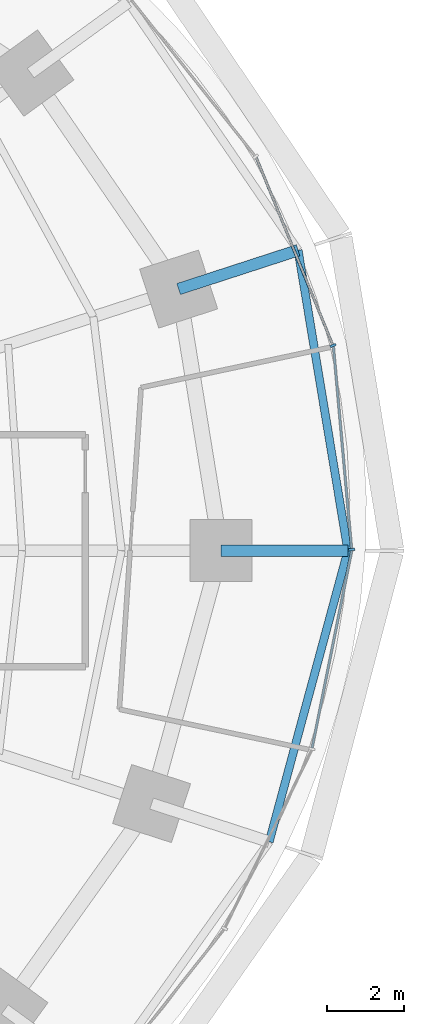
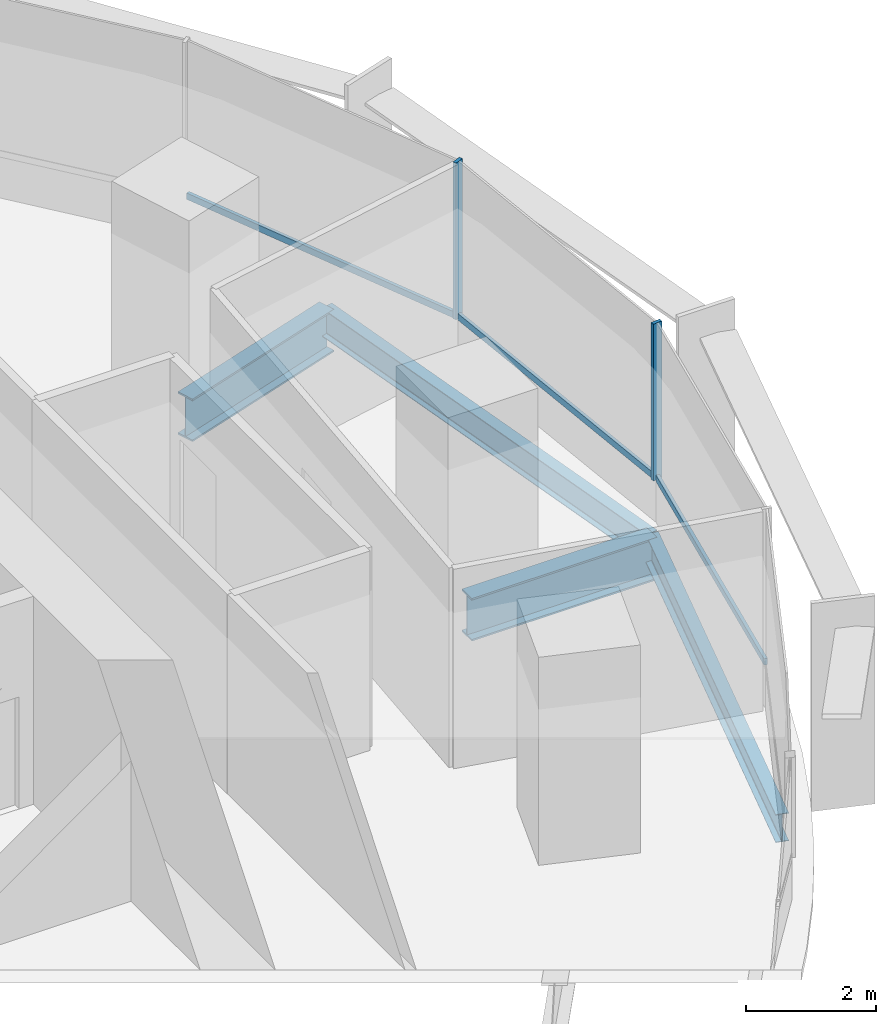
# One storey, part 6 of 14: 5 members, 4 beams, 2 elements without a shape of their own.
"""IFC4 building model written with IfcOpenShell, lengths in metres."""

import ifcopenshell
import ifcopenshell.guid

model = None  # the IFC model being written
_history = None  # IfcOwnerHistory: only IFC2X3 demands one
_inside = {}  # id of a spatial element -> (the spatial element, [elements in it])
_under = {}  # id of a project, library or spatial element -> (it, [spatial elements below it])
_declared = {}  # id of a project -> (the project, [libraries it declares])
_typed = {}  # id of a type object -> (the type object, [elements of that type])
_made_of = {}  # id of a material, layer set ... -> (it, [elements and type objects made of it])


def new_model(schema):
    """Start an empty IFC model of exactly this schema.

    Asked for "IFC4X3", IfcOpenShell would pick the latest addendum, in which some entities
    have other attributes; the version numbers below select the first issue.
    IFC2X3 requires an IfcOwnerHistory on every rooted entity: one is made here for all.
    """
    global model, _history
    if schema == "IFC4X3":
        model = ifcopenshell.file(schema_version=(4, 3, 0, 0))
    else:
        model = ifcopenshell.file(schema=schema)
    _inside.clear()
    _under.clear()
    _declared.clear()
    _typed.clear()
    _made_of.clear()
    _history = None
    if model.schema == "IFC2X3":
        org = make("IfcOrganization", Name="unknown")
        user = make(
            "IfcPersonAndOrganization",
            ThePerson=make("IfcPerson", FamilyName="unknown"),
            TheOrganization=org,
        )
        app = make(
            "IfcApplication",
            ApplicationDeveloper=org,
            Version="unknown",
            ApplicationFullName="unknown",
            ApplicationIdentifier="unknown",
        )
        _history = make(
            "IfcOwnerHistory",
            OwningUser=user,
            OwningApplication=app,
            ChangeAction="ADDED",
            CreationDate=0,
        )
    return model


def make(cls, **values):
    """One entity of the class cls with the attributes given. An attribute that is None is left unset."""
    return model.create_entity(
        cls, **{name: value for name, value in values.items() if value is not None}
    )


def rooted(cls, **values):
    """An entity with a GlobalId (a new one), such as an element, a storey or a relation."""
    return make(cls, GlobalId=ifcopenshell.guid.new(), OwnerHistory=_history, **values)


def si_unit(unit_type, name, prefix=None):
    """IfcSIUnit, for example si_unit("LENGTHUNIT", "METRE", prefix="MILLI")."""
    return make("IfcSIUnit", UnitType=unit_type, Prefix=prefix, Name=name)


def assignment(units):
    """IfcUnitAssignment: the units of a project."""
    return None if units is None else make("IfcUnitAssignment", Units=units)


def point(xyz):
    """IfcCartesianPoint."""
    return None if xyz is None else make("IfcCartesianPoint", Coordinates=xyz)


def direction(xyz):
    """IfcDirection."""
    return None if xyz is None else make("IfcDirection", DirectionRatios=xyz)


def frame(location, z_axis=None, x_axis=None):
    """IfcAxis2Placement3D, a coordinate frame: its origin and axes. An axis left out is left unset."""
    return make(
        "IfcAxis2Placement3D",
        Location=point(location),
        Axis=direction(z_axis),
        RefDirection=direction(x_axis),
    )


def frame_2d(location, x_axis=None):
    """IfcAxis2Placement2D, a coordinate frame in the plane: its origin and x axis."""
    return make(
        "IfcAxis2Placement2D", Location=point(location), RefDirection=direction(x_axis)
    )


def origin():
    """The frame at (0, 0, 0) with its axes left unset."""
    return frame((0.0, 0.0, 0.0))


def origin_2d():
    """The frame at (0, 0) in the plane with its x axis left unset."""
    return frame_2d((0.0, 0.0))


def place(relative_to, where):
    """IfcLocalPlacement: puts the frame where relative to a parent placement (None: the world)."""
    return make(
        "IfcLocalPlacement", PlacementRelTo=relative_to, RelativePlacement=where
    )


def context(
    kind, dimensions, precision=None, world=None, true_north=None, identifier=None
):
    """IfcGeometricRepresentationContext, for example the 3D "Model" context."""
    return make(
        "IfcGeometricRepresentationContext",
        ContextIdentifier=identifier,
        ContextType=kind,
        CoordinateSpaceDimension=dimensions,
        Precision=precision,
        WorldCoordinateSystem=world,
        TrueNorth=true_north,
    )


def subcontext(parent, identifier, kind, view, scale=None):
    """IfcGeometricRepresentationSubContext, for example "Body" below "Model"."""
    return make(
        "IfcGeometricRepresentationSubContext",
        ContextIdentifier=identifier,
        ContextType=kind,
        ParentContext=parent,
        TargetScale=scale,
        TargetView=view,
    )


def project(units=None, contexts=None):
    """IfcProject with its units and contexts."""
    return rooted(
        "IfcProject",
        Name="project",
        RepresentationContexts=contexts,
        UnitsInContext=assignment(units),
    )


def spatial(cls, under=None, at=None, **own):
    """A site, building, storey or space (cls), placed at a placement, below another one or the project."""
    s = rooted(cls, ObjectPlacement=at, **own)
    if under is not None:
        _under.setdefault(under.id(), (under, []))[1].append(s)
    return s


def profile(cls, at=None, kind="AREA", **sizes):
    """A parametric profile (cls). Its sizes go by their IFC names, for example OverallWidth=200.0."""
    return make(cls, ProfileType=kind, Position=at, **sizes)


def rectangle(**sizes):
    """IfcRectangleProfileDef."""
    return profile("IfcRectangleProfileDef", **sizes)


def i_section(**sizes):
    """IfcIShapeProfileDef."""
    return profile("IfcIShapeProfileDef", **sizes)


def extrude(swept, where, along, depth):
    """IfcExtrudedAreaSolid: the profile swept, set in the frame where, extruded along a direction by depth."""
    return make(
        "IfcExtrudedAreaSolid",
        SweptArea=swept,
        Position=where,
        ExtrudedDirection=direction(along),
        Depth=depth,
    )


def shape(context_of_items, identifier, shape_type, items):
    """IfcShapeRepresentation: the items that make up one representation, for example the "Body"."""
    return make(
        "IfcShapeRepresentation",
        ContextOfItems=context_of_items,
        RepresentationIdentifier=identifier,
        RepresentationType=shape_type,
        Items=items,
    )


def material(Name=None, Category=None):
    """IfcMaterial."""
    return make("IfcMaterial", Name=Name, Category=Category)


def material_profile(
    of_material, cross_section, Name=None, Category=None, Priority=None
):
    """IfcMaterialProfile: a cross section and its material."""
    return make(
        "IfcMaterialProfile",
        Name=Name,
        Material=of_material,
        Profile=cross_section,
        Priority=Priority,
        Category=Category,
    )


def profile_set(profiles, Name=None, composite=None):
    """IfcMaterialProfileSet."""
    return make(
        "IfcMaterialProfileSet",
        Name=Name,
        MaterialProfiles=profiles,
        CompositeProfile=composite,
    )


def made_of(thing, what):
    """Note that an element or type object is made of a material, layer set ...; save() writes the relation."""
    if what is not None:
        _made_of.setdefault(what.id(), (what, []))[1].append(thing)
    return thing


def type_object(cls, material=None, **own):
    """A type object (cls), such as IfcWallType, which elements share."""
    return made_of(rooted(cls, **own), material)


def element(
    cls,
    number,
    at=None,
    inside=None,
    cuts=None,
    type_object=None,
    material=None,
    context=None,
    identifier="Body",
    shape_type=None,
    held_by="IfcProductDefinitionShape",
    body=None,
    shapes=None,
    **own,
):
    """One element of the class cls, such as IfcWall. Its Tag is "e" and its number.

    at: its placement. inside: the storey or other place that contains it. cuts: it is an
    opening in that element (IfcRelVoidsElement). A single representation is given by context,
    identifier, shape_type and body (its items); several are given by shapes. held_by: the class
    of the entity that holds the representations. save() writes the other relations.
    """
    e = rooted(cls, Tag="e%d" % number, ObjectPlacement=at, **own)
    if body is not None:
        shapes = [shape(context, identifier, shape_type, body)]
    if shapes is not None:
        e.Representation = make(held_by, Representations=shapes)
    if inside is not None:
        _inside.setdefault(inside.id(), (inside, []))[1].append(e)
    if cuts is not None:
        rooted(
            "IfcRelVoidsElement", RelatingBuildingElement=cuts, RelatedOpeningElement=e
        )
    if type_object is not None:
        _typed.setdefault(type_object.id(), (type_object, []))[1].append(e)
    return made_of(e, material)


def aggregate(whole, parts):
    """IfcRelAggregates: a whole, such as a stair, and the parts it consists of."""
    return rooted("IfcRelAggregates", RelatingObject=whole, RelatedObjects=parts)


def save(model, path):
    """Write the relations noted so far, then the file.

    IfcRelAggregates (storeys below a building ...), IfcRelContainedInSpatialStructure (elements
    in a storey), IfcRelDefinesByType, IfcRelAssociatesMaterial and IfcRelDeclares: one each for
    every whole, place, type object, material and project.
    """
    for whole, parts in _under.values():
        aggregate(whole, parts)
    for where, things in _inside.values():
        rooted(
            "IfcRelContainedInSpatialStructure",
            RelatedElements=things,
            RelatingStructure=where,
        )
    for kind, things in _typed.values():
        rooted("IfcRelDefinesByType", RelatedObjects=things, RelatingType=kind)
    for what, things in _made_of.values():
        rooted("IfcRelAssociatesMaterial", RelatedObjects=things, RelatingMaterial=what)
    for by, libraries in _declared.values():
        rooted("IfcRelDeclares", RelatingContext=by, RelatedDefinitions=libraries)
    model.write(path)


model = new_model("IFC4")

# Units and contexts
model_context = context("Model", 3, precision=1e-05, world=origin(), true_north=direction((0.0, 1.0)))
body_context = subcontext(model_context, "Body", "Model", "MODEL_VIEW")
ifc_project = project(units=[si_unit("LENGTHUNIT", "METRE"), si_unit("AREAUNIT", "SQUARE_METRE"), si_unit("VOLUMEUNIT", "CUBIC_METRE"), si_unit("PLANEANGLEUNIT", "RADIAN"), si_unit("MASSUNIT", "GRAM", prefix="KILO")], contexts=[model_context])

# Site, building, storey
site_placement = place(None, origin())
site = spatial("IfcSite", under=ifc_project, at=site_placement, CompositionType="ELEMENT")
building_placement = place(site_placement, origin())
building = spatial("IfcBuilding", under=site, at=building_placement, Name="Marramba Exchange Tower", CompositionType="ELEMENT")
storey_placement = place(building_placement, frame((0.0, 0.0, 119.699951171875)))
storey = spatial("IfcBuildingStorey", under=building, at=storey_placement, Name="L28", CompositionType="ELEMENT", Elevation=119.699951171875)

# Beams
ifc_material_1 = material(Name="Steel AS/NZS 3679.2 grade 300", Category="steel")
ifc_material_profile_1 = material_profile(ifc_material_1, i_section(OverallWidth=0.300048828125, OverallDepth=0.800048828125, WebThickness=0.013916015625, FlangeThickness=0.031982421875, at=origin_2d()), Name="800WB192")
ifc_profile_set_1 = profile_set([ifc_material_profile_1], Name="Steel AS/NZS 3679.2 grade 300")
beam_type_1 = type_object("IfcBeamType", Name="Cantilever girder 800WB192", PredefinedType="BEAM", material=ifc_profile_set_1)
beam_1_placement = place(storey_placement, frame((21.89990234375, 0.0, -0.56005859375), z_axis=(1.0, 0.0, 0.0), x_axis=(0.0, 1.0, 0.0)))
element("IfcBeam", 1, at=beam_1_placement, inside=storey, type_object=beam_type_1, Name="Cantilever girder L28 TC01", PredefinedType="BEAM", context=body_context, shape_type="SweptSolid", body=[
    extrude(i_section(OverallWidth=0.300048828125, OverallDepth=0.800048828125, WebThickness=0.013916015625, FlangeThickness=0.031982421875, at=origin_2d()), origin(), (0.0, 0.0, 1.0), 3.281982421875),
])
beam_2_placement = place(storey_placement, frame((20.808349609375, 6.760986328125, -0.56005859375), z_axis=(0.95105562578, 0.309019735087, 0.0), x_axis=(-0.309019735087, 0.95105562578, 0.0)))
element("IfcBeam", 2, at=beam_2_placement, inside=storey, type_object=beam_type_1, Name="Cantilever girder L28 TC02", PredefinedType="BEAM", context=body_context, shape_type="SweptSolid", body=[
    extrude(i_section(OverallWidth=0.300048828125, OverallDepth=0.800048828125, WebThickness=0.013916015625, FlangeThickness=0.031982421875, at=origin_2d()), origin(), (0.0, 0.0, 1.0), 3.24560546875),
])

# Curtain wall, members
ifc_material_2 = material(Name="Aluminium framing, bronze anodised", Category="aluminium")
curtain_wall_type = type_object("IfcCurtainWallType", Name="Office ribbon curtain wall", PredefinedType="USERDEFINED", material=ifc_material_2)
curtain_wall_1_placement = place(storey_placement, origin())
curtain_wall_1 = element("IfcCurtainWall", 3, at=curtain_wall_1_placement, inside=storey, type_object=curtain_wall_type, Name="Curtain wall CW4 L28 F01-F05", ObjectType="RIBBON CURTAIN WALL", PredefinedType="USERDEFINED")
ifc_material_3 = material(Name="Aluminium mullion, bronze anodised", Category="aluminium")
ifc_material_profile_2 = material_profile(ifc_material_3, rectangle(XDim=0.159912109375, YDim=0.06005859375, at=origin_2d()), Name="CW4 mullion 60x160")
ifc_profile_set_2 = profile_set([ifc_material_profile_2], Name="Aluminium mullion, bronze anodised")
member_type_1 = type_object("IfcMemberType", Name="Office ribbon curtain wall mullion", PredefinedType="MULLION", material=ifc_profile_set_2)
member_1_placement = place(storey_placement, frame((25.279296875, 0.02978515625, 0.800048828125), z_axis=(0.0, 0.0, 1.0), x_axis=(-0.995994646311, -0.089412887889, 0.0)))
member_1 = element("IfcMember", 4, at=member_1_placement, type_object=member_type_1, Name="CW4 mullion 1", PredefinedType="MULLION", context=body_context, shape_type="SweptSolid", body=[
    extrude(rectangle(XDim=0.159912109375, YDim=0.06005859375, at=origin_2d()), origin(), (0.0, 0.0, 1.0), 2.93994140625),
])
member_2_placement = place(storey_placement, frame((24.79736328125, 5.301025390625, 0.800048828125), z_axis=(0.0, 0.0, 1.0), x_axis=(-0.925878584668, -0.377821183171, 0.0)))
member_2 = element("IfcMember", 5, at=member_2_placement, type_object=member_type_1, Name="CW4 mullion 1", PredefinedType="MULLION", context=body_context, shape_type="SweptSolid", body=[
    extrude(rectangle(XDim=0.159912109375, YDim=0.06005859375, at=origin_2d()), origin(), (0.0, 0.0, 1.0), 2.93994140625),
])
ifc_material_4 = material(Name="Aluminium transom, bronze anodised", Category="aluminium")
ifc_material_profile_3 = material_profile(ifc_material_4, rectangle(XDim=0.06005859375, YDim=0.1201171875, at=origin_2d()), Name="CW4 transom 60x120")
ifc_profile_set_3 = profile_set([ifc_material_profile_3], Name="Aluminium transom, bronze anodised")
member_type_2 = type_object("IfcMemberType", Name="Office ribbon curtain wall transom", PredefinedType="USERDEFINED", material=ifc_profile_set_3)
member_3_placement = place(storey_placement, frame((25.276611328125, 0.059814453125, 0.830078125), z_axis=(-0.089412838135, 0.995994650777, 0.0), x_axis=(-0.995994650777, -0.089412838135, 0.0)))
member_3 = element("IfcMember", 6, at=member_3_placement, type_object=member_type_2, Name="CW4 sill transom", ObjectType="TRANSOM", PredefinedType="USERDEFINED", context=body_context, shape_type="SweptSolid", body=[
    extrude(rectangle(XDim=0.06005859375, YDim=0.1201171875, at=origin_2d()), origin(), (0.0, 0.0, 1.0), 5.234375),
])
member_4_placement = place(storey_placement, frame((24.785888671875, 5.328857421875, 0.830078125), z_axis=(-0.377838039034, 0.925871706155, 0.0), x_axis=(-0.925871706155, -0.377838039034, 0.0)))
member_4 = element("IfcMember", 7, at=member_4_placement, type_object=member_type_2, Name="CW4 sill transom", ObjectType="TRANSOM", PredefinedType="USERDEFINED", context=body_context, shape_type="SweptSolid", body=[
    extrude(rectangle(XDim=0.06005859375, YDim=0.1201171875, at=origin_2d()), origin(), (0.0, 0.0, 1.0), 5.2158203125),
])
aggregate(curtain_wall_1, [member_1, member_3, member_2, member_4])

# Curtain wall, member
curtain_wall_2_placement = place(storey_placement, origin())
curtain_wall_2 = element("IfcCurtainWall", 8, at=curtain_wall_2_placement, inside=storey, type_object=curtain_wall_type, Name="Curtain wall CW4 L28 F26-F30", ObjectType="RIBBON CURTAIN WALL", PredefinedType="USERDEFINED")
member_5_placement = place(storey_placement, frame((24.258056640625, -5.094970703125, 0.830078125), z_axis=(0.197028520451, 0.980397757101, 0.0), x_axis=(-0.980397757101, 0.197028520451, 0.0)))
member_5 = element("IfcMember", 9, at=member_5_placement, type_object=member_type_2, Name="CW4 sill transom", ObjectType="TRANSOM", PredefinedType="USERDEFINED", context=body_context, shape_type="SweptSolid", body=[
    extrude(rectangle(XDim=0.06005859375, YDim=0.1201171875, at=origin_2d()), origin(), (0.0, 0.0, 1.0), 5.19677734375),
])
aggregate(curtain_wall_2, [member_5])

# Beams
ifc_material_5 = material(Name="Steel AS/NZS 3679.1 grade 300", Category="steel")
ifc_material_profile_4 = material_profile(ifc_material_5, i_section(OverallWidth=0.208984375, OverallDepth=0.528076171875, WebThickness=0.009521484375, FlangeThickness=0.01318359375, FilletRadius=0.013916015625, at=origin_2d()), Name="530UB82.0")
ifc_profile_set_4 = profile_set([ifc_material_profile_4], Name="Steel AS/NZS 3679.1 grade 300")
beam_type_2 = type_object("IfcBeamType", Name="Slab edge beam 530UB82.0", PredefinedType="SPANDREL", material=ifc_profile_set_4)
beam_3_placement = place(storey_placement, frame((25.181884765625, 0.0, -0.424072265625), z_axis=(-0.163518559175, 0.986540258076, 0.0), x_axis=(-0.986540258076, -0.163518559175, 0.0)))
element("IfcBeam", 10, at=beam_3_placement, inside=storey, type_object=beam_type_2, Name="Slab edge beam L28 TC01-TC02", PredefinedType="SPANDREL", context=body_context, shape_type="SweptSolid", body=[
    extrude(i_section(OverallWidth=0.208984375, OverallDepth=0.528076171875, WebThickness=0.009521484375, FlangeThickness=0.01318359375, FilletRadius=0.013916015625, at=origin_2d()), origin(), (0.0, 0.0, 1.0), 7.869873046875),
])
beam_4_placement = place(storey_placement, frame((23.148681640625, -7.521484375, -0.424072265625), z_axis=(0.260953221575, 0.965351446961, 0.0), x_axis=(-0.965351446961, 0.260953221575, 0.0)))
element("IfcBeam", 11, at=beam_4_placement, inside=storey, type_object=beam_type_2, Name="Slab edge beam L28 TC20-TC01", PredefinedType="SPANDREL", context=body_context, shape_type="SweptSolid", body=[
    extrude(i_section(OverallWidth=0.208984375, OverallDepth=0.528076171875, WebThickness=0.009521484375, FlangeThickness=0.01318359375, FilletRadius=0.013916015625, at=origin_2d()), origin(), (0.0, 0.0, 1.0), 7.79150390625),
])

save(model, "model.ifc")
